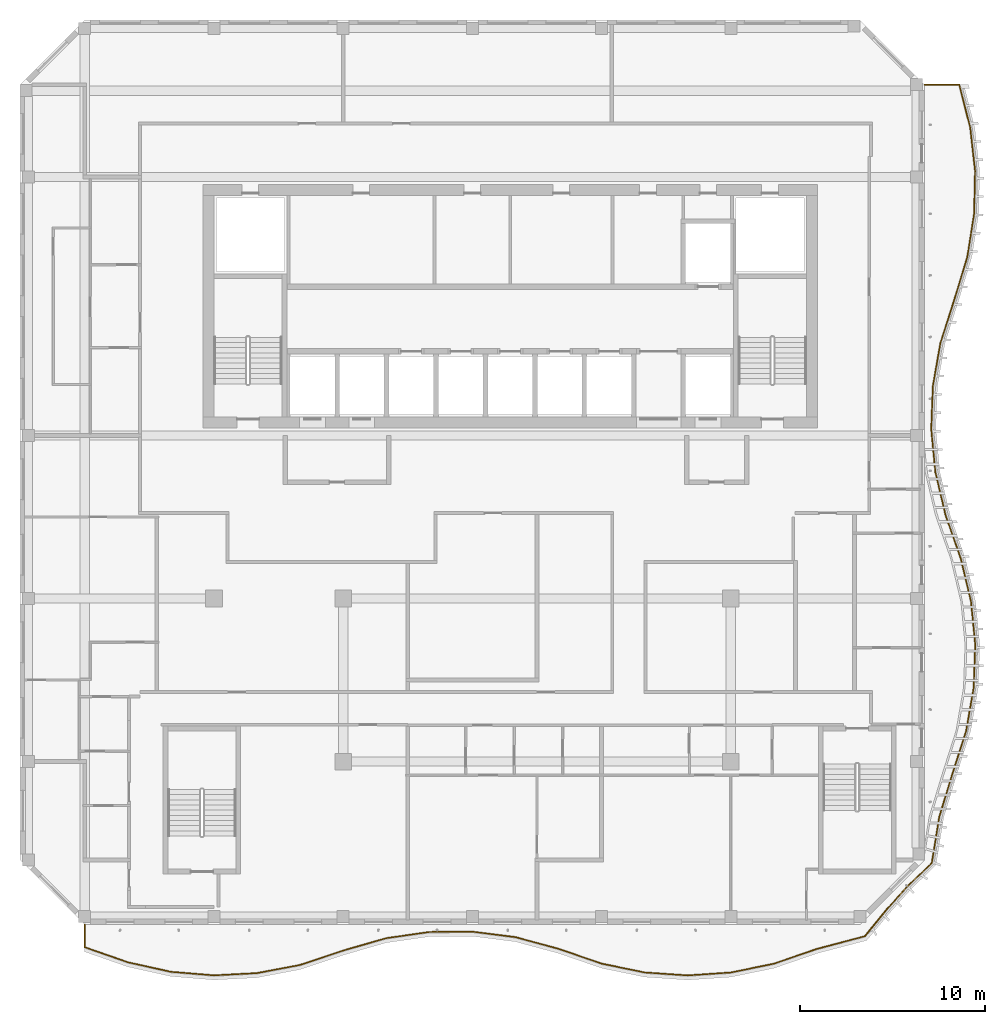
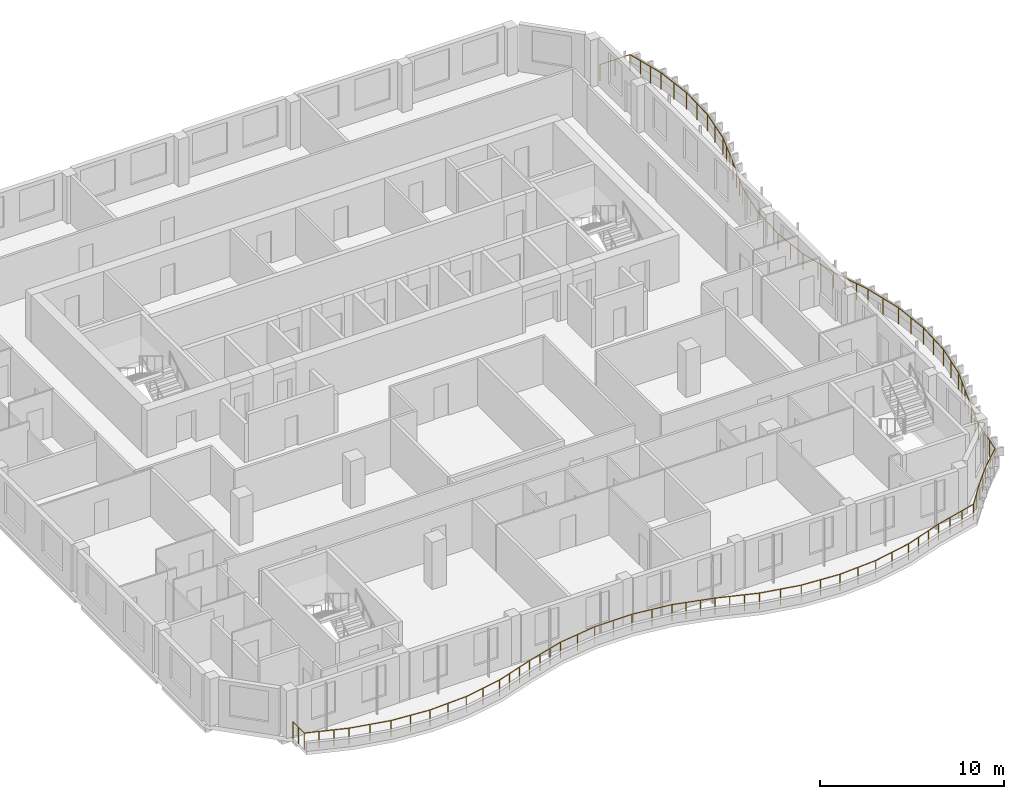
# One storey, part 14 of 18: 1 railing.
"""IFC4 building model written with IfcOpenShell, lengths in metres."""

from ifc_helpers import new_model, si_unit, direction, frame, origin, origin_2d, place, context, subcontext, project, spatial, circle, extrude, material, type_object, element, save


model = new_model("IFC4")

# Units and contexts
model_context = context("Model", 3, precision=1e-05, world=origin(), true_north=direction((0.0, 1.0)))
body_context = subcontext(model_context, "Body", "Model", "MODEL_VIEW")
ifc_project = project(units=[si_unit("LENGTHUNIT", "METRE"), si_unit("AREAUNIT", "SQUARE_METRE"), si_unit("VOLUMEUNIT", "CUBIC_METRE"), si_unit("PLANEANGLEUNIT", "RADIAN"), si_unit("MASSUNIT", "GRAM", prefix="KILO")], contexts=[model_context])

# Site, building, storey
site_placement = place(None, origin())
site = spatial("IfcSite", under=ifc_project, at=site_placement, CompositionType="ELEMENT")
building_placement = place(site_placement, origin())
building = spatial("IfcBuilding", under=site, at=building_placement, Name="Kilnfold Tower and Market Hall", CompositionType="ELEMENT")
storey_placement = place(building_placement, frame((0.0, 0.0, 270.39990234375)))
storey = spatial("IfcBuildingStorey", under=building, at=storey_placement, Name="L66", CompositionType="ELEMENT", Elevation=270.39990234375)

# Railing
ifc_material = material(Name="Stainless steel and laminated glass", Category="steel")
railing_type = type_object("IfcRailingType", Name="GUARD 1100", PredefinedType="GUARDRAIL", material=ifc_material)
railing_placement = place(storey_placement, frame((-22.0, -18.5, 0.0)))
element("IfcRailing", 1, at=railing_placement, inside=storey, type_object=railing_type, Name="Guard balcony L66", PredefinedType="GUARDRAIL", context=body_context, shape_type="SweptSolid", body=[
    extrude(circle(Radius=0.02490234375, at=origin_2d()), frame((0.0, 0.0, 1.0751953125), z_axis=(0.0, -1.0, 0.0), x_axis=(1.0, 0.0, 0.0)), (0.0, 0.0, 1.0), 1.22314453125),
    extrude(circle(Radius=0.02490234375, at=origin_2d()), frame((0.0, -1.22314453125, 1.0751953125), z_axis=(0.94404147133, -0.329826773336, 0.0), x_axis=(0.329826773336, 0.94404147133, 0.0)), (0.0, 0.0, 1.0), 2.471435546875),
    extrude(circle(Radius=0.02490234375, at=origin_2d()), frame((2.333251953125, -2.038330078125, 1.0751953125), z_axis=(0.976295091637, -0.216443743375, 0.0), x_axis=(0.216443743375, 0.976295091637, 0.0)), (0.0, 0.0, 1.0), 2.39013671875),
    extrude(circle(Radius=0.02490234375, at=origin_2d()), frame((4.666748046875, -2.5556640625, 1.0751953125), z_axis=(0.99661801448, -0.082173798829, 0.0), x_axis=(0.082173798829, 0.99661801448, 0.0)), (0.0, 0.0, 1.0), 2.341064453125),
    extrude(circle(Radius=0.02490234375, at=origin_2d()), frame((7.0, -2.748046875, 1.0751953125), z_axis=(0.998639680103, 0.05214201113, 0.0), x_axis=(-0.05214201113, 0.998639680103, 0.0)), (0.0, 0.0, 1.0), 2.33642578125),
    extrude(circle(Radius=0.02490234375, at=origin_2d()), frame((9.333251953125, -2.626220703125, 1.0751953125), z_axis=(0.982481332733, 0.186361022834, 0.0), x_axis=(-0.186361022834, 0.982481332733, 0.0)), (0.0, 0.0, 1.0), 2.375),
    extrude(circle(Radius=0.02490234375, at=origin_2d()), frame((11.666748046875, -2.18359375, 1.0751953125), z_axis=(0.948494561878, 0.316793412317, 0.0), x_axis=(-0.316793412317, 0.948494561878, 0.0)), (0.0, 0.0, 1.0), 2.4599609375),
    extrude(circle(Radius=0.02490234375, at=origin_2d()), frame((14.0, -1.404296875, 1.0751953125), z_axis=(0.961059623147, 0.276341094947, 0.0), x_axis=(-0.276341094947, 0.961059623147, 0.0)), (0.0, 0.0, 1.0), 2.427734375),
    extrude(circle(Radius=0.02490234375, at=origin_2d()), frame((16.333251953125, -0.7333984375, 1.0751953125), z_axis=(0.989868551931, 0.1419867948, 0.0), x_axis=(-0.1419867948, 0.989868551931, 0.0)), (0.0, 0.0, 1.0), 2.357421875),
    extrude(circle(Radius=0.02490234375, at=origin_2d()), frame((18.666748046875, -0.398681640625, 1.0751953125), z_axis=(0.999970024203, 0.007742783488, 0.0), x_axis=(-0.007742783488, 0.999970024203, 0.0)), (0.0, 0.0, 1.0), 2.333251953125),
    extrude(circle(Radius=0.02490234375, at=origin_2d()), frame((21.0, -0.380615234375, 1.0751953125), z_axis=(0.991976388571, -0.12642327522, 0.0), x_axis=(0.12642327522, 0.991976388571, 0.0)), (0.0, 0.0, 1.0), 2.35205078125),
    extrude(circle(Radius=0.02490234375, at=origin_2d()), frame((23.333251953125, -0.677978515625, 1.0751953125), z_axis=(0.965395014105, -0.260791998998, 0.0), x_axis=(0.260791998998, 0.965395014105, 0.0)), (0.0, 0.0, 1.0), 2.417236328125),
    extrude(circle(Radius=0.02490234375, at=origin_2d()), frame((25.666748046875, -1.308349609375, 1.0751953125), z_axis=(0.945632403198, -0.325237387183, 0.0), x_axis=(0.325237387183, 0.945632403198, 0.0)), (0.0, 0.0, 1.0), 2.46728515625),
    extrude(circle(Radius=0.02490234375, at=origin_2d()), frame((28.0, -2.11083984375, 1.0751953125), z_axis=(0.979408794007, -0.201887132384, 0.0), x_axis=(0.201887132384, 0.979408794007, 0.0)), (0.0, 0.0, 1.0), 2.38232421875),
    extrude(circle(Radius=0.02490234375, at=origin_2d()), frame((30.333251953125, -2.591796875, 1.0751953125), z_axis=(0.997709702118, -0.067641335737, 0.0), x_axis=(0.067641335737, 0.997709702118, 0.0)), (0.0, 0.0, 1.0), 2.3388671875),
    extrude(circle(Radius=0.02490234375, at=origin_2d()), frame((32.666748046875, -2.75, 1.0751953125), z_axis=(0.99777914831, 0.066609092458, 0.0), x_axis=(-0.066609092458, 0.99777914831, 0.0)), (0.0, 0.0, 1.0), 2.33837890625),
    extrude(circle(Radius=0.02490234375, at=origin_2d()), frame((35.0, -2.59423828125, 1.0751953125), z_axis=(0.979610977569, 0.200903789477, 0.0), x_axis=(-0.200903789477, 0.979610977569, 0.0)), (0.0, 0.0, 1.0), 2.3818359375),
    extrude(circle(Radius=0.02490234375, at=origin_2d()), frame((37.333251953125, -2.11572265625, 1.0751953125), z_axis=(0.94579491998, 0.324764482881, 0.0), x_axis=(-0.324764482881, 0.94579491998, 0.0)), (0.0, 0.0, 1.0), 2.46728515625),
    extrude(circle(Radius=0.02490234375, at=origin_2d()), frame((39.666748046875, -1.314453125, 1.0751953125), z_axis=(0.966873849107, 0.255254696164, 0.0), x_axis=(-0.255254696164, 0.966873849107, 0.0)), (0.0, 0.0, 1.0), 2.682861328125),
    extrude(circle(Radius=0.02490234375, at=origin_2d()), frame((42.2607421875, -0.629638671875, 1.0751953125), z_axis=(0.632323553789, 0.774704410291, 0.0), x_axis=(-0.774704410291, 0.632323553789, 0.0)), (0.0, 0.0, 1.0), 1.92041015625),
    extrude(circle(Radius=0.02490234375, at=origin_2d()), frame((43.47509765625, 0.858154296875, 1.0751953125), z_axis=(0.669274920108, 0.743014859417, 0.0), x_axis=(-0.743014859417, 0.669274920108, 0.0)), (0.0, 0.0, 1.0), 1.652099609375),
    extrude(circle(Radius=0.02490234375, at=origin_2d()), frame((44.580810546875, 2.085693359375, 1.0751953125), z_axis=(0.721974178911, 0.691919998978, 0.0), x_axis=(-0.691919998978, 0.721974178911, 0.0)), (0.0, 0.0, 1.0), 1.8115234375),
    extrude(circle(Radius=0.02490234375, at=origin_2d()), frame((45.888671875, 3.339111328125, 1.0751953125), z_axis=(0.159727617547, 0.98716112575, 0.0), x_axis=(-0.98716112575, 0.159727617547, 0.0)), (0.0, 0.0, 1.0), 2.526611328125),
    extrude(circle(Radius=0.02490234375, at=origin_2d()), frame((46.292236328125, 5.833251953125, 1.0751953125), z_axis=(0.291623527613, 0.956533176708, 0.0), x_axis=(-0.956533176708, 0.291623527613, 0.0)), (0.0, 0.0, 1.0), 2.439453125),
    extrude(circle(Radius=0.02490234375, at=origin_2d()), frame((47.003662109375, 8.166748046875, 1.0751953125), z_axis=(0.305025200401, 0.952344279723, 0.0), x_axis=(-0.952344279723, 0.305025200401, 0.0)), (0.0, 0.0, 1.0), 2.449951171875),
    extrude(circle(Radius=0.02490234375, at=origin_2d()), frame((47.7509765625, 10.5, 1.0751953125), z_axis=(0.171032263888, 0.985265428557, 0.0), x_axis=(-0.985265428557, 0.171032263888, 0.0)), (0.0, 0.0, 1.0), 2.3681640625),
    extrude(circle(Radius=0.02490234375, at=origin_2d()), frame((48.156005859375, 12.833251953125, 1.0751953125), z_axis=(0.036802839109, 0.999322546045, 0.0), x_axis=(-0.999322546045, 0.036802839109, 0.0)), (0.0, 0.0, 1.0), 2.3349609375),
    extrude(circle(Radius=0.02490234375, at=origin_2d()), frame((48.241943359375, 15.166748046875, 1.0751953125), z_axis=(-0.097369173508, 0.995248332855, 0.0), x_axis=(-0.995248332855, -0.097369173508, 0.0)), (0.0, 0.0, 1.0), 2.344482421875),
    extrude(circle(Radius=0.02490234375, at=origin_2d()), frame((48.013671875, 17.5, 1.0751953125), z_axis=(-0.231767306568, 0.972771255541, 0.0), x_axis=(-0.972771255541, -0.231767306568, 0.0)), (0.0, 0.0, 1.0), 2.398681640625),
    extrude(circle(Radius=0.02490234375, at=origin_2d()), frame((47.457763671875, 19.833251953125, 1.0751953125), z_axis=(-0.331379128816, 0.943497680435, 0.0), x_axis=(-0.943497680435, -0.331379128816, 0.0)), (0.0, 0.0, 1.0), 2.47314453125),
    extrude(circle(Radius=0.02490234375, at=origin_2d()), frame((46.63818359375, 22.166748046875, 1.0751953125), z_axis=(-0.23099653904, 0.972954571885, 0.0), x_axis=(-0.972954571885, -0.23099653904, 0.0)), (0.0, 0.0, 1.0), 2.398193359375),
    extrude(circle(Radius=0.02490234375, at=origin_2d()), frame((46.084228515625, 24.5, 1.0751953125), z_axis=(-0.0966470409, 0.99531871754, 0.0), x_axis=(-0.99531871754, -0.0966470409, 0.0)), (0.0, 0.0, 1.0), 2.34423828125),
    extrude(circle(Radius=0.02490234375, at=origin_2d()), frame((45.857666015625, 26.833251953125, 1.0751953125), z_axis=(0.03753369274, 0.999295362698, 0.0), x_axis=(-0.999295362698, 0.03753369274, 0.0)), (0.0, 0.0, 1.0), 2.335205078125),
    extrude(circle(Radius=0.02490234375, at=origin_2d()), frame((45.9453125, 29.166748046875, 1.0751953125), z_axis=(0.171832717386, 0.985126142804, 0.0), x_axis=(-0.985126142804, 0.171832717386, 0.0)), (0.0, 0.0, 1.0), 2.368408203125),
    extrude(circle(Radius=0.02490234375, at=origin_2d()), frame((46.352294921875, 31.5, 1.0751953125), z_axis=(0.305657640943, 0.952141484514, 0.0), x_axis=(-0.952141484514, 0.305657640943, 0.0)), (0.0, 0.0, 1.0), 2.450439453125),
    extrude(circle(Radius=0.02490234375, at=origin_2d()), frame((47.101318359375, 33.833251953125, 1.0751953125), z_axis=(0.290890745154, 0.956756277421, 0.0), x_axis=(-0.956756277421, 0.290890745154, 0.0)), (0.0, 0.0, 1.0), 2.43896484375),
    extrude(circle(Radius=0.02490234375, at=origin_2d()), frame((47.810791015625, 36.166748046875, 1.0751953125), z_axis=(0.156466716862, 0.987683231869, 0.0), x_axis=(-0.987683231869, 0.156466716862, 0.0)), (0.0, 0.0, 1.0), 2.3623046875),
    extrude(circle(Radius=0.02490234375, at=origin_2d()), frame((48.180419921875, 38.5, 1.0751953125), z_axis=(0.02238635245, 0.99974939421, 0.0), x_axis=(-0.99974939421, 0.02238635245, 0.0)), (0.0, 0.0, 1.0), 2.333740234375),
    extrude(circle(Radius=0.02490234375, at=origin_2d()), frame((48.232666015625, 40.833251953125, 1.0751953125), z_axis=(-0.111971871997, 0.993711376548, 0.0), x_axis=(-0.993711376548, -0.111971871997, 0.0)), (0.0, 0.0, 1.0), 2.34814453125),
    extrude(circle(Radius=0.02490234375, at=origin_2d()), frame((47.9697265625, 43.166748046875, 1.0751953125), z_axis=(-0.246232479972, 0.969210795342, 0.0), x_axis=(-0.969210795342, -0.246232479972, 0.0)), (0.0, 0.0, 1.0), 2.407470703125),
    extrude(circle(Radius=0.02490234375, at=origin_2d()), frame((47.376953125, 45.5, 1.0751953125), z_axis=(-1.0, 0.0, 0.0), x_axis=(0.0, -1.0, 0.0)), (0.0, 0.0, 1.0), 1.876953125),
    extrude(circle(Radius=0.02490234375, at=origin_2d()), origin(), (0.0, 0.0, 1.0), 1.050048828125),
    extrude(circle(Radius=0.02490234375, at=origin_2d()), frame((0.0, -0.611572265625, 0.0)), (0.0, 0.0, 1.0), 1.050048828125),
    extrude(circle(Radius=0.02490234375, at=origin_2d()), frame((0.0, -1.22314453125, 0.0)), (0.0, 0.0, 1.0), 1.050048828125),
    extrude(circle(Radius=0.02490234375, at=origin_2d()), frame((0.77783203125, -1.494873046875, 0.0)), (0.0, 0.0, 1.0), 1.050048828125),
    extrude(circle(Radius=0.02490234375, at=origin_2d()), frame((1.555419921875, -1.7666015625, 0.0)), (0.0, 0.0, 1.0), 1.050048828125),
    extrude(circle(Radius=0.02490234375, at=origin_2d()), frame((2.333251953125, -2.038330078125, 0.0)), (0.0, 0.0, 1.0), 1.050048828125),
    extrude(circle(Radius=0.02490234375, at=origin_2d()), frame((3.5, -2.296875, 0.0)), (0.0, 0.0, 1.0), 1.050048828125),
    extrude(circle(Radius=0.02490234375, at=origin_2d()), frame((4.666748046875, -2.5556640625, 0.0)), (0.0, 0.0, 1.0), 1.050048828125),
    extrude(circle(Radius=0.02490234375, at=origin_2d()), frame((5.83349609375, -2.65185546875, 0.0)), (0.0, 0.0, 1.0), 1.050048828125),
    extrude(circle(Radius=0.02490234375, at=origin_2d()), frame((7.0, -2.748046875, 0.0)), (0.0, 0.0, 1.0), 1.050048828125),
    extrude(circle(Radius=0.02490234375, at=origin_2d()), frame((8.16650390625, -2.68701171875, 0.0)), (0.0, 0.0, 1.0), 1.050048828125),
    extrude(circle(Radius=0.02490234375, at=origin_2d()), frame((9.333251953125, -2.626220703125, 0.0)), (0.0, 0.0, 1.0), 1.050048828125),
    extrude(circle(Radius=0.02490234375, at=origin_2d()), frame((10.5, -2.40478515625, 0.0)), (0.0, 0.0, 1.0), 1.050048828125),
    extrude(circle(Radius=0.02490234375, at=origin_2d()), frame((11.666748046875, -2.18359375, 0.0)), (0.0, 0.0, 1.0), 1.050048828125),
    extrude(circle(Radius=0.02490234375, at=origin_2d()), frame((12.444580078125, -1.923828125, 0.0)), (0.0, 0.0, 1.0), 1.050048828125),
    extrude(circle(Radius=0.02490234375, at=origin_2d()), frame((13.22216796875, -1.6640625, 0.0)), (0.0, 0.0, 1.0), 1.050048828125),
    extrude(circle(Radius=0.02490234375, at=origin_2d()), frame((14.0, -1.404296875, 0.0)), (0.0, 0.0, 1.0), 1.050048828125),
    extrude(circle(Radius=0.02490234375, at=origin_2d()), frame((14.77783203125, -1.1806640625, 0.0)), (0.0, 0.0, 1.0), 1.050048828125),
    extrude(circle(Radius=0.02490234375, at=origin_2d()), frame((15.555419921875, -0.95703125, 0.0)), (0.0, 0.0, 1.0), 1.050048828125),
    extrude(circle(Radius=0.02490234375, at=origin_2d()), frame((16.333251953125, -0.7333984375, 0.0)), (0.0, 0.0, 1.0), 1.050048828125),
    extrude(circle(Radius=0.02490234375, at=origin_2d()), frame((17.5, -0.56591796875, 0.0)), (0.0, 0.0, 1.0), 1.050048828125),
    extrude(circle(Radius=0.02490234375, at=origin_2d()), frame((18.666748046875, -0.398681640625, 0.0)), (0.0, 0.0, 1.0), 1.050048828125),
    extrude(circle(Radius=0.02490234375, at=origin_2d()), frame((19.83349609375, -0.3896484375, 0.0)), (0.0, 0.0, 1.0), 1.050048828125),
    extrude(circle(Radius=0.02490234375, at=origin_2d()), frame((21.0, -0.380615234375, 0.0)), (0.0, 0.0, 1.0), 1.050048828125),
    extrude(circle(Radius=0.02490234375, at=origin_2d()), frame((22.16650390625, -0.529296875, 0.0)), (0.0, 0.0, 1.0), 1.050048828125),
    extrude(circle(Radius=0.02490234375, at=origin_2d()), frame((23.333251953125, -0.677978515625, 0.0)), (0.0, 0.0, 1.0), 1.050048828125),
    extrude(circle(Radius=0.02490234375, at=origin_2d()), frame((24.111083984375, -0.88818359375, 0.0)), (0.0, 0.0, 1.0), 1.050048828125),
    extrude(circle(Radius=0.02490234375, at=origin_2d()), frame((24.888916015625, -1.09814453125, 0.0)), (0.0, 0.0, 1.0), 1.050048828125),
    extrude(circle(Radius=0.02490234375, at=origin_2d()), frame((25.666748046875, -1.308349609375, 0.0)), (0.0, 0.0, 1.0), 1.050048828125),
    extrude(circle(Radius=0.02490234375, at=origin_2d()), frame((26.444580078125, -1.575927734375, 0.0)), (0.0, 0.0, 1.0), 1.050048828125),
    extrude(circle(Radius=0.02490234375, at=origin_2d()), frame((27.22216796875, -1.84326171875, 0.0)), (0.0, 0.0, 1.0), 1.050048828125),
    extrude(circle(Radius=0.02490234375, at=origin_2d()), frame((28.0, -2.11083984375, 0.0)), (0.0, 0.0, 1.0), 1.050048828125),
    extrude(circle(Radius=0.02490234375, at=origin_2d()), frame((29.16650390625, -2.351318359375, 0.0)), (0.0, 0.0, 1.0), 1.050048828125),
    extrude(circle(Radius=0.02490234375, at=origin_2d()), frame((30.333251953125, -2.591796875, 0.0)), (0.0, 0.0, 1.0), 1.050048828125),
    extrude(circle(Radius=0.02490234375, at=origin_2d()), frame((31.5, -2.6708984375, 0.0)), (0.0, 0.0, 1.0), 1.050048828125),
    extrude(circle(Radius=0.02490234375, at=origin_2d()), frame((32.666748046875, -2.75, 0.0)), (0.0, 0.0, 1.0), 1.050048828125),
    extrude(circle(Radius=0.02490234375, at=origin_2d()), frame((33.83349609375, -2.672119140625, 0.0)), (0.0, 0.0, 1.0), 1.050048828125),
    extrude(circle(Radius=0.02490234375, at=origin_2d()), frame((35.0, -2.59423828125, 0.0)), (0.0, 0.0, 1.0), 1.050048828125),
    extrude(circle(Radius=0.02490234375, at=origin_2d()), frame((36.16650390625, -2.35498046875, 0.0)), (0.0, 0.0, 1.0), 1.050048828125),
    extrude(circle(Radius=0.02490234375, at=origin_2d()), frame((37.333251953125, -2.11572265625, 0.0)), (0.0, 0.0, 1.0), 1.050048828125),
    extrude(circle(Radius=0.02490234375, at=origin_2d()), frame((38.111083984375, -1.8486328125, 0.0)), (0.0, 0.0, 1.0), 1.050048828125),
    extrude(circle(Radius=0.02490234375, at=origin_2d()), frame((38.888916015625, -1.58154296875, 0.0)), (0.0, 0.0, 1.0), 1.050048828125),
    extrude(circle(Radius=0.02490234375, at=origin_2d()), frame((39.666748046875, -1.314453125, 0.0)), (0.0, 0.0, 1.0), 1.050048828125),
    extrude(circle(Radius=0.02490234375, at=origin_2d()), frame((40.531494140625, -1.086181640625, 0.0)), (0.0, 0.0, 1.0), 1.050048828125),
    extrude(circle(Radius=0.02490234375, at=origin_2d()), frame((41.39599609375, -0.85791015625, 0.0)), (0.0, 0.0, 1.0), 1.050048828125),
    extrude(circle(Radius=0.02490234375, at=origin_2d()), frame((42.2607421875, -0.629638671875, 0.0)), (0.0, 0.0, 1.0), 1.050048828125),
    extrude(circle(Radius=0.02490234375, at=origin_2d()), frame((42.867919921875, 0.1142578125, 0.0)), (0.0, 0.0, 1.0), 1.050048828125),
    extrude(circle(Radius=0.02490234375, at=origin_2d()), frame((43.47509765625, 0.858154296875, 0.0)), (0.0, 0.0, 1.0), 1.050048828125),
    extrude(circle(Radius=0.02490234375, at=origin_2d()), frame((44.02783203125, 1.471923828125, 0.0)), (0.0, 0.0, 1.0), 1.050048828125),
    extrude(circle(Radius=0.02490234375, at=origin_2d()), frame((44.580810546875, 2.085693359375, 0.0)), (0.0, 0.0, 1.0), 1.050048828125),
    extrude(circle(Radius=0.02490234375, at=origin_2d()), frame((45.23486328125, 2.71240234375, 0.0)), (0.0, 0.0, 1.0), 1.050048828125),
    extrude(circle(Radius=0.02490234375, at=origin_2d()), frame((45.888671875, 3.339111328125, 0.0)), (0.0, 0.0, 1.0), 1.050048828125),
    extrude(circle(Radius=0.02490234375, at=origin_2d()), frame((46.023193359375, 4.17041015625, 0.0)), (0.0, 0.0, 1.0), 1.050048828125),
    extrude(circle(Radius=0.02490234375, at=origin_2d()), frame((46.15771484375, 5.001953125, 0.0)), (0.0, 0.0, 1.0), 1.050048828125),
    extrude(circle(Radius=0.02490234375, at=origin_2d()), frame((46.292236328125, 5.833251953125, 0.0)), (0.0, 0.0, 1.0), 1.050048828125),
    extrude(circle(Radius=0.02490234375, at=origin_2d()), frame((46.529296875, 6.611083984375, 0.0)), (0.0, 0.0, 1.0), 1.050048828125),
    extrude(circle(Radius=0.02490234375, at=origin_2d()), frame((46.7666015625, 7.388916015625, 0.0)), (0.0, 0.0, 1.0), 1.050048828125),
    extrude(circle(Radius=0.02490234375, at=origin_2d()), frame((47.003662109375, 8.166748046875, 0.0)), (0.0, 0.0, 1.0), 1.050048828125),
    extrude(circle(Radius=0.02490234375, at=origin_2d()), frame((47.252685546875, 8.944580078125, 0.0)), (0.0, 0.0, 1.0), 1.050048828125),
    extrude(circle(Radius=0.02490234375, at=origin_2d()), frame((47.501953125, 9.72216796875, 0.0)), (0.0, 0.0, 1.0), 1.050048828125),
    extrude(circle(Radius=0.02490234375, at=origin_2d()), frame((47.7509765625, 10.5, 0.0)), (0.0, 0.0, 1.0), 1.050048828125),
    extrude(circle(Radius=0.02490234375, at=origin_2d()), frame((47.95361328125, 11.66650390625, 0.0)), (0.0, 0.0, 1.0), 1.050048828125),
    extrude(circle(Radius=0.02490234375, at=origin_2d()), frame((48.156005859375, 12.833251953125, 0.0)), (0.0, 0.0, 1.0), 1.050048828125),
    extrude(circle(Radius=0.02490234375, at=origin_2d()), frame((48.198974609375, 14.0, 0.0)), (0.0, 0.0, 1.0), 1.050048828125),
    extrude(circle(Radius=0.02490234375, at=origin_2d()), frame((48.241943359375, 15.166748046875, 0.0)), (0.0, 0.0, 1.0), 1.050048828125),
    extrude(circle(Radius=0.02490234375, at=origin_2d()), frame((48.1279296875, 16.33349609375, 0.0)), (0.0, 0.0, 1.0), 1.050048828125),
    extrude(circle(Radius=0.02490234375, at=origin_2d()), frame((48.013671875, 17.5, 0.0)), (0.0, 0.0, 1.0), 1.050048828125),
    extrude(circle(Radius=0.02490234375, at=origin_2d()), frame((47.73583984375, 18.66650390625, 0.0)), (0.0, 0.0, 1.0), 1.050048828125),
    extrude(circle(Radius=0.02490234375, at=origin_2d()), frame((47.457763671875, 19.833251953125, 0.0)), (0.0, 0.0, 1.0), 1.050048828125),
    extrude(circle(Radius=0.02490234375, at=origin_2d()), frame((47.1845703125, 20.611083984375, 0.0)), (0.0, 0.0, 1.0), 1.050048828125),
    extrude(circle(Radius=0.02490234375, at=origin_2d()), frame((46.911376953125, 21.388916015625, 0.0)), (0.0, 0.0, 1.0), 1.050048828125),
    extrude(circle(Radius=0.02490234375, at=origin_2d()), frame((46.63818359375, 22.166748046875, 0.0)), (0.0, 0.0, 1.0), 1.050048828125),
    extrude(circle(Radius=0.02490234375, at=origin_2d()), frame((46.361328125, 23.33349609375, 0.0)), (0.0, 0.0, 1.0), 1.050048828125),
    extrude(circle(Radius=0.02490234375, at=origin_2d()), frame((46.084228515625, 24.5, 0.0)), (0.0, 0.0, 1.0), 1.050048828125),
    extrude(circle(Radius=0.02490234375, at=origin_2d()), frame((45.970947265625, 25.66650390625, 0.0)), (0.0, 0.0, 1.0), 1.050048828125),
    extrude(circle(Radius=0.02490234375, at=origin_2d()), frame((45.857666015625, 26.833251953125, 0.0)), (0.0, 0.0, 1.0), 1.050048828125),
    extrude(circle(Radius=0.02490234375, at=origin_2d()), frame((45.9013671875, 28.0, 0.0)), (0.0, 0.0, 1.0), 1.050048828125),
    extrude(circle(Radius=0.02490234375, at=origin_2d()), frame((45.9453125, 29.166748046875, 0.0)), (0.0, 0.0, 1.0), 1.050048828125),
    extrude(circle(Radius=0.02490234375, at=origin_2d()), frame((46.14892578125, 30.33349609375, 0.0)), (0.0, 0.0, 1.0), 1.050048828125),
    extrude(circle(Radius=0.02490234375, at=origin_2d()), frame((46.352294921875, 31.5, 0.0)), (0.0, 0.0, 1.0), 1.050048828125),
    extrude(circle(Radius=0.02490234375, at=origin_2d()), frame((46.60205078125, 32.27783203125, 0.0)), (0.0, 0.0, 1.0), 1.050048828125),
    extrude(circle(Radius=0.02490234375, at=origin_2d()), frame((46.8515625, 33.055419921875, 0.0)), (0.0, 0.0, 1.0), 1.050048828125),
    extrude(circle(Radius=0.02490234375, at=origin_2d()), frame((47.101318359375, 33.833251953125, 0.0)), (0.0, 0.0, 1.0), 1.050048828125),
    extrude(circle(Radius=0.02490234375, at=origin_2d()), frame((47.337890625, 34.611083984375, 0.0)), (0.0, 0.0, 1.0), 1.050048828125),
    extrude(circle(Radius=0.02490234375, at=origin_2d()), frame((47.57421875, 35.388916015625, 0.0)), (0.0, 0.0, 1.0), 1.050048828125),
    extrude(circle(Radius=0.02490234375, at=origin_2d()), frame((47.810791015625, 36.166748046875, 0.0)), (0.0, 0.0, 1.0), 1.050048828125),
    extrude(circle(Radius=0.02490234375, at=origin_2d()), frame((47.99560546875, 37.33349609375, 0.0)), (0.0, 0.0, 1.0), 1.050048828125),
    extrude(circle(Radius=0.02490234375, at=origin_2d()), frame((48.180419921875, 38.5, 0.0)), (0.0, 0.0, 1.0), 1.050048828125),
    extrude(circle(Radius=0.02490234375, at=origin_2d()), frame((48.20654296875, 39.66650390625, 0.0)), (0.0, 0.0, 1.0), 1.050048828125),
    extrude(circle(Radius=0.02490234375, at=origin_2d()), frame((48.232666015625, 40.833251953125, 0.0)), (0.0, 0.0, 1.0), 1.050048828125),
    extrude(circle(Radius=0.02490234375, at=origin_2d()), frame((48.10107421875, 42.0, 0.0)), (0.0, 0.0, 1.0), 1.050048828125),
    extrude(circle(Radius=0.02490234375, at=origin_2d()), frame((47.9697265625, 43.166748046875, 0.0)), (0.0, 0.0, 1.0), 1.050048828125),
    extrude(circle(Radius=0.02490234375, at=origin_2d()), frame((47.772216796875, 43.944580078125, 0.0)), (0.0, 0.0, 1.0), 1.050048828125),
    extrude(circle(Radius=0.02490234375, at=origin_2d()), frame((47.574462890625, 44.72216796875, 0.0)), (0.0, 0.0, 1.0), 1.050048828125),
    extrude(circle(Radius=0.02490234375, at=origin_2d()), frame((47.376953125, 45.5, 0.0)), (0.0, 0.0, 1.0), 1.050048828125),
    extrude(circle(Radius=0.02490234375, at=origin_2d()), frame((46.4384765625, 45.5, 0.0)), (0.0, 0.0, 1.0), 1.050048828125),
    extrude(circle(Radius=0.02490234375, at=origin_2d()), frame((45.5, 45.5, 0.0)), (0.0, 0.0, 1.0), 1.050048828125),
])

save(model, "model.ifc")
